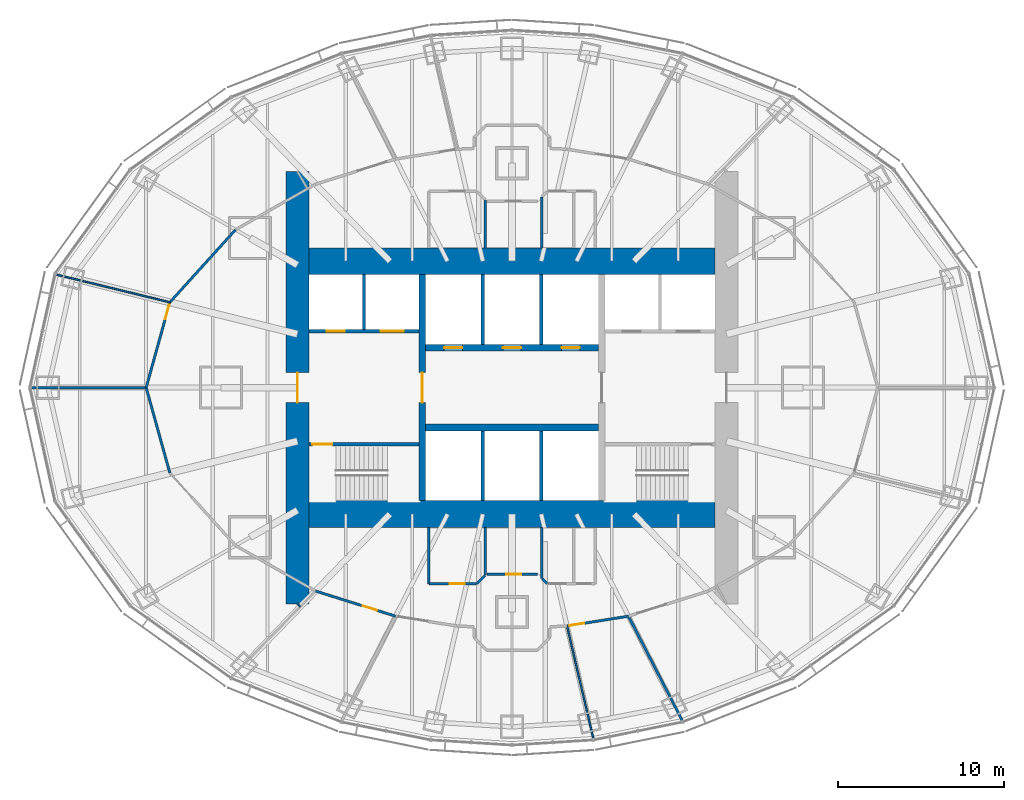
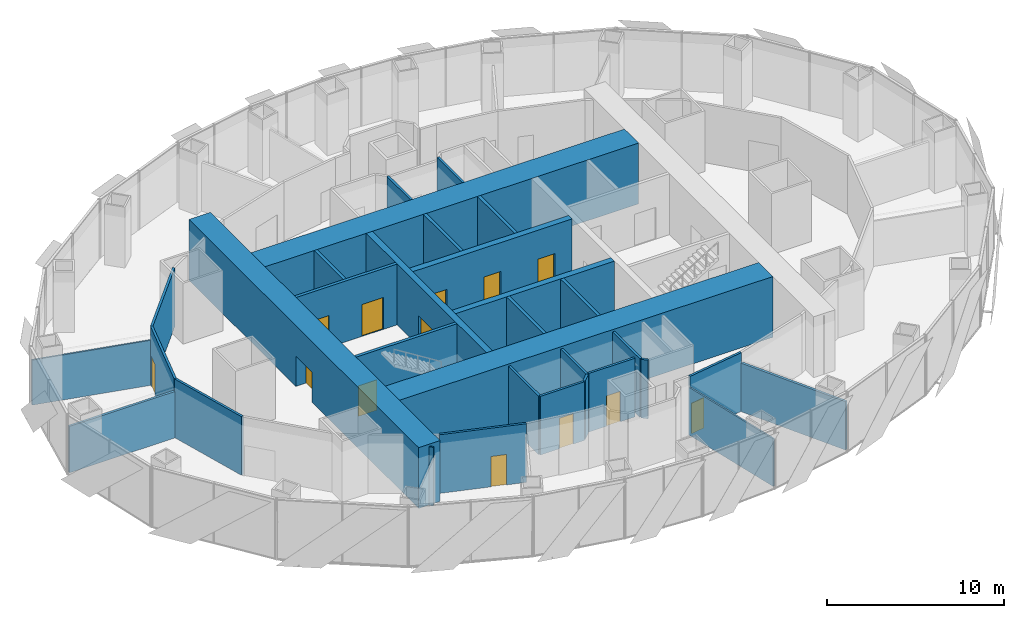
# One storey, part 11 of 18: 32 walls, 13 doors, 13 openings.
"""IFC4 building model written with IfcOpenShell, lengths in metres."""

from ifc_helpers import new_model, si_unit, direction, frame, frame_2d, origin, place, context, subcontext, project, spatial, rectangle, extrude, material, layer, layer_set, type_object, element, fill, save


model = new_model("IFC4")

# Units and contexts
model_context = context("Model", 3, precision=1e-05, world=origin(), true_north=direction((0.0, 1.0)))
body_context = subcontext(model_context, "Body", "Model", "MODEL_VIEW")
ifc_project = project(units=[si_unit("LENGTHUNIT", "METRE"), si_unit("AREAUNIT", "SQUARE_METRE"), si_unit("VOLUMEUNIT", "CUBIC_METRE"), si_unit("PLANEANGLEUNIT", "RADIAN"), si_unit("MASSUNIT", "GRAM", prefix="KILO")], contexts=[model_context])

# Site, building, storey
site_placement = place(None, origin())
site = spatial("IfcSite", under=ifc_project, at=site_placement, CompositionType="ELEMENT")
building_placement = place(site_placement, origin())
building = spatial("IfcBuilding", under=site, at=building_placement, Name="Lantaw Convention Tower", CompositionType="ELEMENT")
storey_placement = place(building_placement, frame((0.0, 0.0, 172.0)))
storey = spatial("IfcBuildingStorey", under=building, at=storey_placement, Name="L40", CompositionType="ELEMENT", Elevation=172.0)

# Wall, opening, door
ifc_material_1 = material(Name="Concrete C60/75", Category="concrete")
ifc_layer_1 = layer(ifc_material_1, 1.39990234375)
ifc_layer_set_1 = layer_set([ifc_layer_1], Name="Core wall 1400")
wall_type_1 = type_object("IfcWallType", Name="Core wall 1400", PredefinedType="SHEAR", material=ifc_layer_set_1)
wall_1_placement = place(storey_placement, frame((-12.89990234375, 13.0, 0.0), z_axis=(0.0, 0.0, 1.0), x_axis=(0.0, -1.0, 0.0)))
wall_1 = element("IfcWall", 1, at=wall_1_placement, inside=storey, type_object=wall_type_1, Name="Core wall W", PredefinedType="SHEAR", context=body_context, shape_type="SweptSolid", body=[
    extrude(rectangle(XDim=26.0, YDim=1.39990234375, at=frame_2d((13.0, 0.0))), origin(), (0.0, 0.0, 1.0), 4.199951171875),
])
opening_1_placement = place(wall_1_placement, frame((12.10009765625, 0.0, 0.0)))
opening_1 = element("IfcOpeningElement", 2, at=opening_1_placement, cuts=wall_1, Name="Opening L40.06", PredefinedType="OPENING", context=body_context, shape_type="SweptSolid", body=[
    extrude(rectangle(XDim=1.800048828125, YDim=2.10009765625, at=frame_2d((0.89990234375, 1.050048828125))), frame((0.0, 0.7099609375, 0.0), z_axis=(0.0, -1.0, 0.0), x_axis=(1.0, 0.0, 0.0)), (0.0, 0.0, 1.0), 1.419921875),
])
ifc_material_2 = material(Name="Steel, fire rated", Category="steel")
door_type_1 = type_object("IfcDoorType", Name="Lobby double door FD90", OperationType="DOUBLE_DOOR_DOUBLE_SWING", PredefinedType="DOOR", material=ifc_material_2)
door_1_placement = place(opening_1_placement, origin())
door_1 = element("IfcDoor", 3, at=door_1_placement, inside=storey, type_object=door_type_1, Name="Firefighting lobby door", OperationType="DOUBLE_DOOR_DOUBLE_SWING", OverallHeight=2.10009765625, OverallWidth=1.800048828125, PredefinedType="DOOR", context=body_context, shape_type="SweptSolid", body=[
    extrude(rectangle(XDim=1.800048828125, YDim=2.10009765625, at=frame_2d((0.89990234375, 1.050048828125))), frame((0.0, 0.02490234375, 0.0), z_axis=(0.0, -1.0, 0.0), x_axis=(1.0, 0.0, 0.0)), (0.0, 0.0, 1.0), 0.050048828125),
])
fill(opening_1, door_1)

# Walls
ifc_layer_2 = layer(ifc_material_1, 1.60009765625)
ifc_layer_set_2 = layer_set([ifc_layer_2], Name="Core wall 1600")
wall_type_2 = type_object("IfcWallType", Name="Core wall 1600", PredefinedType="SHEAR", material=ifc_layer_set_2)
for number, where, z_axis, x_axis, name in (
    (4, (-12.199951171875, -7.60009765625, 0.0), (0.0, 0.0, 1.0), (1.0, 0.0, 0.0), "Core wall S"),
    (5, (12.199951171875, 7.60009765625, 0.0), (0.0, 0.0, 1.0), (-1.0, 0.0, 0.0), "Core wall N"),
):
    element("IfcWall", number, at=place(storey_placement, frame(where, z_axis=z_axis, x_axis=x_axis)), inside=storey, type_object=wall_type_2, Name=name, PredefinedType="SHEAR", context=body_context, shape_type="SweptSolid", body=[
        extrude(rectangle(XDim=24.39990234375, YDim=1.60009765625, at=frame_2d((12.199951171875, 0.0))), origin(), (0.0, 0.0, 1.0), 4.199951171875),
    ])

# Wall, opening, door
ifc_layer_3 = layer(ifc_material_1, 0.199951171875)
ifc_layer_set_3 = layer_set([ifc_layer_3], Name="Core wall 200")
wall_type_3 = type_object("IfcWallType", Name="Core wall 200", PredefinedType="SHEAR", material=ifc_layer_set_3)
wall_2_placement = place(storey_placement, frame((-5.60009765625, -3.39990234375, 0.0), z_axis=(0.0, 0.0, 1.0), x_axis=(-1.0, 0.0, 0.0)))
wall_2 = element("IfcWall", 6, at=wall_2_placement, inside=storey, type_object=wall_type_3, Name="Core wall WS", PredefinedType="SHEAR", context=body_context, shape_type="SweptSolid", body=[
    extrude(rectangle(XDim=6.599853515625, YDim=0.199951171875, at=frame_2d((3.2998046875, 0.0))), origin(), (0.0, 0.0, 1.0), 4.199951171875),
])
opening_2_placement = place(wall_2_placement, frame((5.199951171875, 0.0, 0.0)))
opening_2 = element("IfcOpeningElement", 7, at=opening_2_placement, cuts=wall_2, Name="Opening L40.04", PredefinedType="OPENING", context=body_context, shape_type="SweptSolid", body=[
    extrude(rectangle(XDim=1.199951171875, YDim=2.10009765625, at=frame_2d((0.60009765625, 1.050048828125))), frame((0.0, 0.10986328125, 0.0), z_axis=(0.0, -1.0, 0.0), x_axis=(1.0, 0.0, 0.0)), (0.0, 0.0, 1.0), 0.219970703125),
])
door_type_2 = type_object("IfcDoorType", Name="Stair door FD90", OperationType="SINGLE_SWING_RIGHT", PredefinedType="DOOR", material=ifc_material_2)
door_2_placement = place(opening_2_placement, origin())
door_2 = element("IfcDoor", 8, at=door_2_placement, inside=storey, type_object=door_type_2, Name="Exit stair door", OperationType="SINGLE_SWING_RIGHT", OverallHeight=2.10009765625, OverallWidth=1.199951171875, PredefinedType="DOOR", context=body_context, shape_type="SweptSolid", body=[
    extrude(rectangle(XDim=1.199951171875, YDim=2.10009765625, at=frame_2d((0.60009765625, 1.050048828125))), frame((0.0, 0.02490234375, 0.0), z_axis=(0.0, -1.0, 0.0), x_axis=(1.0, 0.0, 0.0)), (0.0, 0.0, 1.0), 0.050048828125),
])
fill(opening_2, door_2)

ifc_layer_4 = layer(ifc_material_1, 0.39990234375)
ifc_layer_set_4 = layer_set([ifc_layer_4], Name="Core wall 400")
wall_type_4 = type_object("IfcWallType", Name="Core wall 400", PredefinedType="SHEAR", material=ifc_layer_set_4)
wall_3_placement = place(storey_placement, frame((-5.39990234375, 6.800048828125, 0.0), z_axis=(0.0, 0.0, 1.0), x_axis=(0.0, -1.0, 0.0)))
wall_3 = element("IfcWall", 9, at=wall_3_placement, inside=storey, type_object=wall_type_4, Name="Core wall XW", PredefinedType="SHEAR", context=body_context, shape_type="SweptSolid", body=[
    extrude(rectangle(XDim=13.60009765625, YDim=0.39990234375, at=frame_2d((6.800048828125, 0.0))), origin(), (0.0, 0.0, 1.0), 4.199951171875),
])
opening_3_placement = place(wall_3_placement, frame((5.89990234375, 0.0, 0.0)))
opening_3 = element("IfcOpeningElement", 10, at=opening_3_placement, cuts=wall_3, Name="Opening L40.02", PredefinedType="OPENING", context=body_context, shape_type="SweptSolid", body=[
    extrude(rectangle(XDim=1.800048828125, YDim=2.10009765625, at=frame_2d((0.89990234375, 1.050048828125))), frame((0.0, 0.2099609375, 0.0), z_axis=(0.0, -1.0, 0.0), x_axis=(1.0, 0.0, 0.0)), (0.0, 0.0, 1.0), 0.419921875),
])
door_3_placement = place(opening_3_placement, origin())
door_3 = element("IfcDoor", 11, at=door_3_placement, inside=storey, type_object=door_type_1, Name="Lift lobby door", OperationType="DOUBLE_DOOR_DOUBLE_SWING", OverallHeight=2.10009765625, OverallWidth=1.800048828125, PredefinedType="DOOR", context=body_context, shape_type="SweptSolid", body=[
    extrude(rectangle(XDim=1.800048828125, YDim=2.10009765625, at=frame_2d((0.89990234375, 1.050048828125))), frame((0.0, 0.02490234375, 0.0), z_axis=(0.0, -1.0, 0.0), x_axis=(1.0, 0.0, 0.0)), (0.0, 0.0, 1.0), 0.050048828125),
])
fill(opening_3, door_3)

# Wall
wall_4_placement = place(storey_placement, frame((-5.199951171875, -2.39990234375, 0.0), z_axis=(0.0, 0.0, 1.0), x_axis=(1.0, 0.0, 0.0)))
element("IfcWall", 12, at=wall_4_placement, inside=storey, type_object=wall_type_4, Name="Core wall BS", PredefinedType="SHEAR", context=body_context, shape_type="SweptSolid", body=[
    extrude(rectangle(XDim=10.39990234375, YDim=0.39990234375, at=frame_2d((5.199951171875, 0.0))), origin(), (0.0, 0.0, 1.0), 4.199951171875),
])

# Wall, openings, doors
wall_5_placement = place(storey_placement, frame((5.199951171875, 2.39990234375, 0.0), z_axis=(0.0, 0.0, 1.0), x_axis=(-1.0, 0.0, 0.0)))
wall_5 = element("IfcWall", 13, at=wall_5_placement, inside=storey, type_object=wall_type_4, Name="Core wall BN", PredefinedType="SHEAR", context=body_context, shape_type="SweptSolid", body=[
    extrude(rectangle(XDim=10.39990234375, YDim=0.39990234375, at=frame_2d((5.199951171875, 0.0))), origin(), (0.0, 0.0, 1.0), 4.199951171875),
])
opening_4_placement = place(wall_5_placement, frame((8.183349609375, 0.0, 0.0)))
opening_4 = element("IfcOpeningElement", 14, at=opening_4_placement, cuts=wall_5, Name="Opening L40.07", PredefinedType="OPENING", context=body_context, shape_type="SweptSolid", body=[
    extrude(rectangle(XDim=1.10009765625, YDim=2.199951171875, at=frame_2d((0.550048828125, 1.10009765625))), frame((0.0, 0.2099609375, 0.0), z_axis=(0.0, -1.0, 0.0), x_axis=(1.0, 0.0, 0.0)), (0.0, 0.0, 1.0), 0.419921875),
])
opening_5_placement = place(wall_5_placement, frame((4.64990234375, 0.0, 0.0)))
opening_5 = element("IfcOpeningElement", 15, at=opening_5_placement, cuts=wall_5, Name="Opening L40.08", PredefinedType="OPENING", context=body_context, shape_type="SweptSolid", body=[
    extrude(rectangle(XDim=1.10009765625, YDim=2.199951171875, at=frame_2d((0.550048828125, 1.10009765625))), frame((0.0, 0.2099609375, 0.0), z_axis=(0.0, -1.0, 0.0), x_axis=(1.0, 0.0, 0.0)), (0.0, 0.0, 1.0), 0.419921875),
])
opening_6_placement = place(wall_5_placement, frame((1.11669921875, 0.0, 0.0)))
opening_6 = element("IfcOpeningElement", 16, at=opening_6_placement, cuts=wall_5, Name="Opening L40.09", PredefinedType="OPENING", context=body_context, shape_type="SweptSolid", body=[
    extrude(rectangle(XDim=1.10009765625, YDim=2.199951171875, at=frame_2d((0.550048828125, 1.10009765625))), frame((0.0, 0.2099609375, 0.0), z_axis=(0.0, -1.0, 0.0), x_axis=(1.0, 0.0, 0.0)), (0.0, 0.0, 1.0), 0.419921875),
])
ifc_material_3 = material(Name="Stainless steel", Category="steel")
door_type_3 = type_object("IfcDoorType", Name="Lift landing door 1100", OperationType="DOUBLE_DOOR_SLIDING", PredefinedType="DOOR", material=ifc_material_3)
door_4_placement = place(opening_4_placement, origin())
door_4 = element("IfcDoor", 17, at=door_4_placement, inside=storey, type_object=door_type_3, Name="Lift landing door N1", OperationType="DOUBLE_DOOR_SLIDING", OverallHeight=2.199951171875, OverallWidth=1.10009765625, PredefinedType="DOOR", context=body_context, shape_type="SweptSolid", body=[
    extrude(rectangle(XDim=1.10009765625, YDim=2.199951171875, at=frame_2d((0.550048828125, 1.10009765625))), frame((0.0, 0.02490234375, 0.0), z_axis=(0.0, -1.0, 0.0), x_axis=(1.0, 0.0, 0.0)), (0.0, 0.0, 1.0), 0.050048828125),
])
fill(opening_4, door_4)
door_5_placement = place(opening_5_placement, origin())
door_5 = element("IfcDoor", 18, at=door_5_placement, inside=storey, type_object=door_type_3, Name="Lift landing door N2", OperationType="DOUBLE_DOOR_SLIDING", OverallHeight=2.199951171875, OverallWidth=1.10009765625, PredefinedType="DOOR", context=body_context, shape_type="SweptSolid", body=[
    extrude(rectangle(XDim=1.10009765625, YDim=2.199951171875, at=frame_2d((0.550048828125, 1.10009765625))), frame((0.0, 0.02490234375, 0.0), z_axis=(0.0, -1.0, 0.0), x_axis=(1.0, 0.0, 0.0)), (0.0, 0.0, 1.0), 0.050048828125),
])
fill(opening_5, door_5)
door_6_placement = place(opening_6_placement, origin())
door_6 = element("IfcDoor", 19, at=door_6_placement, inside=storey, type_object=door_type_3, Name="Lift landing door N3", OperationType="DOUBLE_DOOR_SLIDING", OverallHeight=2.199951171875, OverallWidth=1.10009765625, PredefinedType="DOOR", context=body_context, shape_type="SweptSolid", body=[
    extrude(rectangle(XDim=1.10009765625, YDim=2.199951171875, at=frame_2d((0.550048828125, 1.10009765625))), frame((0.0, 0.02490234375, 0.0), z_axis=(0.0, -1.0, 0.0), x_axis=(1.0, 0.0, 0.0)), (0.0, 0.0, 1.0), 0.050048828125),
])
fill(opening_6, door_6)

# Wall
ifc_material_4 = material(Name="Gypsum board on steel studs, fire rated", Category="steel")
ifc_layer_5 = layer(ifc_material_4, 0.14990234375)
ifc_layer_set_5 = layer_set([ifc_layer_5], Name="Corridor wall 150 EI 60")
wall_type_5 = type_object("IfcWallType", Name="Corridor wall 150 EI 60", PredefinedType="PARTITIONING", material=ifc_layer_set_5)
wall_6_placement = place(storey_placement, frame((-16.62255859375, 9.49853515625, 0.0), z_axis=(0.0, 0.0, 1.0), x_axis=(-0.671118353743, -0.741350224435, 0.0)))
element("IfcWall", 20, at=wall_6_placement, inside=storey, type_object=wall_type_5, Name="Corridor wall 150", PredefinedType="PARTITIONING", context=body_context, shape_type="SweptSolid", body=[
    extrude(rectangle(XDim=5.89208984375, YDim=0.14990234375, at=frame_2d((2.946044921875, 0.0))), origin(), (0.0, 0.0, 1.0), 4.050048828125),
])

# Wall, opening, door
wall_7_placement = place(storey_placement, frame((-20.576904296875, 5.13037109375, 0.0), z_axis=(0.0, 0.0, 1.0), x_axis=(-0.267293817428, -0.963615076244, 0.0)))
wall_7 = element("IfcWall", 21, at=wall_7_placement, inside=storey, type_object=wall_type_5, Name="Corridor wall 150", PredefinedType="PARTITIONING", context=body_context, shape_type="SweptSolid", body=[
    extrude(rectangle(XDim=5.323974609375, YDim=0.14990234375, at=frame_2d((2.662109375, 0.0))), origin(), (0.0, 0.0, 1.0), 4.050048828125),
])
opening_7_placement = place(wall_7_placement, frame((0.14990234375, 0.0, 0.0)))
opening_7 = element("IfcOpeningElement", 22, at=opening_7_placement, cuts=wall_7, Name="Opening L40.27", PredefinedType="OPENING", context=body_context, shape_type="SweptSolid", body=[
    extrude(rectangle(XDim=0.89990234375, YDim=2.10009765625, at=frame_2d((0.449951171875, 1.050048828125))), frame((0.0, 0.0849609375, 0.0), z_axis=(0.0, -1.0, 0.0), x_axis=(1.0, 0.0, 0.0)), (0.0, 0.0, 1.0), 0.169921875),
])
door_type_4 = type_object("IfcDoorType", Name="Office door 900 FD30", OperationType="SINGLE_SWING_LEFT", PredefinedType="DOOR", material=ifc_material_2)
door_7_placement = place(opening_7_placement, origin())
door_7 = element("IfcDoor", 23, at=door_7_placement, inside=storey, type_object=door_type_4, Name="Meeting room door", OperationType="SINGLE_SWING_LEFT", OverallHeight=2.10009765625, OverallWidth=0.89990234375, PredefinedType="DOOR", context=body_context, shape_type="SweptSolid", body=[
    extrude(rectangle(XDim=0.89990234375, YDim=2.10009765625, at=frame_2d((0.449951171875, 1.050048828125))), frame((0.0, 0.02490234375, 0.0), z_axis=(0.0, -1.0, 0.0), x_axis=(1.0, 0.0, 0.0)), (0.0, 0.0, 1.0), 0.050048828125),
])
fill(opening_7, door_7)

# Wall
wall_8_placement = place(storey_placement, frame((-22.0, 0.0, 0.0), z_axis=(0.0, 0.0, 1.0), x_axis=(0.267293817428, -0.963615076244, 0.0)))
element("IfcWall", 24, at=wall_8_placement, inside=storey, type_object=wall_type_5, Name="Corridor wall 150", PredefinedType="PARTITIONING", context=body_context, shape_type="SweptSolid", body=[
    extrude(rectangle(XDim=5.323974609375, YDim=0.14990234375, at=frame_2d((2.662109375, 0.0))), origin(), (0.0, 0.0, 1.0), 4.050048828125),
])

# Wall, opening, door
wall_9_placement = place(storey_placement, frame((-11.812744140625, -12.232421875, 0.0), z_axis=(0.0, 0.0, 1.0), x_axis=(0.953893934057, -0.300143903101, 0.0)))
wall_9 = element("IfcWall", 25, at=wall_9_placement, inside=storey, type_object=wall_type_5, Name="Corridor wall 150", PredefinedType="PARTITIONING", context=body_context, shape_type="SweptSolid", body=[
    extrude(rectangle(XDim=5.04150390625, YDim=0.14990234375, at=frame_2d((2.520751953125, 0.0))), origin(), (0.0, 0.0, 1.0), 4.050048828125),
])
opening_8_placement = place(wall_9_placement, frame((2.98046875, 0.0, 0.0)))
opening_8 = element("IfcOpeningElement", 26, at=opening_8_placement, cuts=wall_9, Name="Opening L40.29", PredefinedType="OPENING", context=body_context, shape_type="SweptSolid", body=[
    extrude(rectangle(XDim=0.89990234375, YDim=2.10009765625, at=frame_2d((0.449951171875, 1.050048828125))), frame((0.0, 0.0849609375, 0.0), z_axis=(0.0, -1.0, 0.0), x_axis=(1.0, 0.0, 0.0)), (0.0, 0.0, 1.0), 0.169921875),
])
door_8_placement = place(opening_8_placement, origin())
door_8 = element("IfcDoor", 27, at=door_8_placement, inside=storey, type_object=door_type_4, Name="Meeting room door", OperationType="SINGLE_SWING_LEFT", OverallHeight=2.10009765625, OverallWidth=0.89990234375, PredefinedType="DOOR", context=body_context, shape_type="SweptSolid", body=[
    extrude(rectangle(XDim=0.89990234375, YDim=2.10009765625, at=frame_2d((0.449951171875, 1.050048828125))), frame((0.0, 0.02490234375, 0.0), z_axis=(0.0, -1.0, 0.0), x_axis=(1.0, 0.0, 0.0)), (0.0, 0.0, 1.0), 0.050048828125),
])
fill(opening_8, door_8)

wall_10_placement = place(storey_placement, frame((3.3095703125, -14.3349609375, 0.0), z_axis=(0.0, 0.0, 1.0), x_axis=(0.987511396594, 0.157547585181, 0.0)))
wall_10 = element("IfcWall", 28, at=wall_10_placement, inside=storey, type_object=wall_type_5, Name="Corridor wall 150", PredefinedType="PARTITIONING", context=body_context, shape_type="SweptSolid", body=[
    extrude(rectangle(XDim=3.74072265625, YDim=0.14990234375, at=frame_2d((1.870361328125, 0.0))), origin(), (0.0, 0.0, 1.0), 4.050048828125),
])
opening_9_placement = place(wall_10_placement, frame((0.14990234375, 0.0, 0.0)))
opening_9 = element("IfcOpeningElement", 29, at=opening_9_placement, cuts=wall_10, Name="Opening L40.31", PredefinedType="OPENING", context=body_context, shape_type="SweptSolid", body=[
    extrude(rectangle(XDim=0.89990234375, YDim=2.10009765625, at=frame_2d((0.449951171875, 1.050048828125))), frame((0.0, 0.0849609375, 0.0), z_axis=(0.0, -1.0, 0.0), x_axis=(1.0, 0.0, 0.0)), (0.0, 0.0, 1.0), 0.169921875),
])
door_9_placement = place(opening_9_placement, origin())
door_9 = element("IfcDoor", 30, at=door_9_placement, inside=storey, type_object=door_type_4, Name="Meeting room door", OperationType="SINGLE_SWING_LEFT", OverallHeight=2.10009765625, OverallWidth=0.89990234375, PredefinedType="DOOR", context=body_context, shape_type="SweptSolid", body=[
    extrude(rectangle(XDim=0.89990234375, YDim=2.10009765625, at=frame_2d((0.449951171875, 1.050048828125))), frame((0.0, 0.02490234375, 0.0), z_axis=(0.0, -1.0, 0.0), x_axis=(1.0, 0.0, 0.0)), (0.0, 0.0, 1.0), 0.050048828125),
])
fill(opening_9, door_9)

# Walls
ifc_material_5 = material(Name="Gypsum board on steel studs, acoustic", Category="steel")
ifc_layer_6 = layer(ifc_material_5, 0.10009765625)
ifc_layer_set_6 = layer_set([ifc_layer_6], Name="Office partition 100")
wall_type_6 = type_object("IfcWallType", Name="Office partition 100", PredefinedType="PARTITIONING", material=ifc_layer_set_6)
wall_11_placement = place(storey_placement, frame((-27.440673828125, 6.808837890625, 0.0), z_axis=(0.0, 0.0, 1.0), x_axis=(0.971377572955, -0.237540755996, 0.0)))
element("IfcWall", 31, at=wall_11_placement, inside=storey, type_object=wall_type_6, Name="Office partition 100", PredefinedType="PARTITIONING", context=body_context, shape_type="SweptSolid", body=[
    extrude(rectangle(XDim=7.06591796875, YDim=0.10009765625, at=frame_2d((3.532958984375, 0.0))), origin(), (0.0, 0.0, 1.0), 3.11279296875),
])
wall_12_placement = place(storey_placement, frame((4.89697265625, -21.134765625, 0.0), z_axis=(0.0, 0.0, 1.0), x_axis=(-0.22733572198, 0.973816445493, 0.0)))
element("IfcWall", 32, at=wall_12_placement, inside=storey, type_object=wall_type_6, Name="Office partition 100", PredefinedType="PARTITIONING", context=body_context, shape_type="SweptSolid", body=[
    extrude(rectangle(XDim=6.982666015625, YDim=0.10009765625, at=frame_2d((3.4912109375, 0.0))), origin(), (0.0, 0.0, 1.0), 3.29296875),
])
wall_13_placement = place(storey_placement, frame((-12.89990234375, -13.0, 0.0), z_axis=(0.0, 0.0, 1.0), x_axis=(0.714690391061, -0.699440951707, 0.0)))
element("IfcWall", 33, at=wall_13_placement, inside=storey, type_object=wall_type_6, Name="Office partition 100", PredefinedType="PARTITIONING", context=body_context, shape_type="SweptSolid", body=[
    extrude(rectangle(XDim=0.240234375, YDim=0.10009765625, at=frame_2d((0.1201171875, 0.0))), origin(), (0.0, 0.0, 1.0), 4.050048828125),
])
ifc_material_6 = material(Name="Concrete blockwork, fire rated", Category="masonry")
ifc_layer_7 = layer(ifc_material_6, 0.199951171875)
ifc_layer_set_7 = layer_set([ifc_layer_7], Name="Shaft wall 200")
wall_type_7 = type_object("IfcWallType", Name="Shaft wall 200", PredefinedType="SOLIDWALL", material=ifc_layer_set_7)
for number, where, z_axis, x_axis, name in (
    (34, (-1.7666015625, 2.60009765625, 0.0), (0.0, 0.0, 1.0), (0.0, 1.0, 0.0), "Shaft wall DN1"),
    (35, (1.7666015625, 2.60009765625, 0.0), (0.0, 0.0, 1.0), (0.0, 1.0, 0.0), "Shaft wall DN2"),
):
    element("IfcWall", number, at=place(storey_placement, frame(where, z_axis=z_axis, x_axis=x_axis)), inside=storey, type_object=wall_type_7, Name=name, PredefinedType="SOLIDWALL", context=body_context, shape_type="SweptSolid", body=[
        extrude(rectangle(XDim=4.199951171875, YDim=0.199951171875, at=frame_2d((2.10009765625, 0.0))), origin(), (0.0, 0.0, 1.0), 4.199951171875),
    ])

# Wall, openings, doors
wall_14_placement = place(storey_placement, frame((-12.199951171875, 3.39990234375, 0.0), z_axis=(0.0, 0.0, 1.0), x_axis=(1.0, 0.0, 0.0)))
wall_14 = element("IfcWall", 36, at=wall_14_placement, inside=storey, type_object=wall_type_7, Name="Shaft wall WN", PredefinedType="SOLIDWALL", context=body_context, shape_type="SweptSolid", body=[
    extrude(rectangle(XDim=6.599853515625, YDim=0.199951171875, at=frame_2d((3.2998046875, 0.0))), origin(), (0.0, 0.0, 1.0), 4.199951171875),
])
opening_10_placement = place(wall_14_placement, frame((1.050048828125, 0.0, 0.0)))
opening_10 = element("IfcOpeningElement", 37, at=opening_10_placement, cuts=wall_14, Name="Opening L40.10", PredefinedType="OPENING", context=body_context, shape_type="SweptSolid", body=[
    extrude(rectangle(XDim=1.10009765625, YDim=2.199951171875, at=frame_2d((0.550048828125, 1.10009765625))), frame((0.0, 0.10986328125, 0.0), z_axis=(0.0, -1.0, 0.0), x_axis=(1.0, 0.0, 0.0)), (0.0, 0.0, 1.0), 0.219970703125),
])
opening_11_placement = place(wall_14_placement, frame((4.300048828125, 0.0, 0.0)))
opening_11 = element("IfcOpeningElement", 38, at=opening_11_placement, cuts=wall_14, Name="Opening L40.11", PredefinedType="OPENING", context=body_context, shape_type="SweptSolid", body=[
    extrude(rectangle(XDim=1.39990234375, YDim=2.199951171875, at=frame_2d((0.699951171875, 1.10009765625))), frame((0.0, 0.10986328125, 0.0), z_axis=(0.0, -1.0, 0.0), x_axis=(1.0, 0.0, 0.0)), (0.0, 0.0, 1.0), 0.219970703125),
])
door_10_placement = place(opening_10_placement, origin())
door_10 = element("IfcDoor", 39, at=door_10_placement, inside=storey, type_object=door_type_3, Name="Lift landing door FF1", OperationType="DOUBLE_DOOR_SLIDING", OverallHeight=2.199951171875, OverallWidth=1.10009765625, PredefinedType="DOOR", context=body_context, shape_type="SweptSolid", body=[
    extrude(rectangle(XDim=1.10009765625, YDim=2.199951171875, at=frame_2d((0.550048828125, 1.10009765625))), frame((0.0, 0.02490234375, 0.0), z_axis=(0.0, -1.0, 0.0), x_axis=(1.0, 0.0, 0.0)), (0.0, 0.0, 1.0), 0.050048828125),
])
fill(opening_10, door_10)
door_type_5 = type_object("IfcDoorType", Name="Lift landing door 1400", OperationType="DOUBLE_DOOR_SLIDING", PredefinedType="DOOR", material=ifc_material_3)
door_11_placement = place(opening_11_placement, origin())
door_11 = element("IfcDoor", 40, at=door_11_placement, inside=storey, type_object=door_type_5, Name="Lift landing door SV1", OperationType="DOUBLE_DOOR_SLIDING", OverallHeight=2.199951171875, OverallWidth=1.39990234375, PredefinedType="DOOR", context=body_context, shape_type="SweptSolid", body=[
    extrude(rectangle(XDim=1.39990234375, YDim=2.199951171875, at=frame_2d((0.699951171875, 1.10009765625))), frame((0.0, 0.02490234375, 0.0), z_axis=(0.0, -1.0, 0.0), x_axis=(1.0, 0.0, 0.0)), (0.0, 0.0, 1.0), 0.050048828125),
])
fill(opening_11, door_11)

# Walls
wall_15_placement = place(storey_placement, frame((-8.89990234375, 3.5, 0.0), z_axis=(0.0, 0.0, 1.0), x_axis=(0.0, 1.0, 0.0)))
element("IfcWall", 41, at=wall_15_placement, inside=storey, type_object=wall_type_7, Name="Shaft wall WD", PredefinedType="SOLIDWALL", context=body_context, shape_type="SweptSolid", body=[
    extrude(rectangle(XDim=3.300048828125, YDim=0.199951171875, at=frame_2d((1.64990234375, 0.0))), origin(), (0.0, 0.0, 1.0), 4.199951171875),
])
ifc_layer_8 = layer(ifc_material_6, 0.199951171875)
ifc_layer_set_8 = layer_set([ifc_layer_8], Name="Shaft wall 200 load-bearing")
wall_type_8 = type_object("IfcWallType", Name="Shaft wall 200 load-bearing", PredefinedType="SOLIDWALL", material=ifc_layer_set_8)
for number, where, z_axis, x_axis, name in (
    (42, (-1.7666015625, -2.60009765625, 0.0), (0.0, 0.0, 1.0), (0.0, -1.0, 0.0), "Shaft wall DS1"),
    (43, (1.7666015625, -2.60009765625, 0.0), (0.0, 0.0, 1.0), (0.0, -1.0, 0.0), "Shaft wall DS2"),
):
    element("IfcWall", number, at=place(storey_placement, frame(where, z_axis=z_axis, x_axis=x_axis)), inside=storey, type_object=wall_type_8, Name=name, PredefinedType="SOLIDWALL", context=body_context, shape_type="SweptSolid", body=[
        extrude(rectangle(XDim=4.199951171875, YDim=0.199951171875, at=frame_2d((2.10009765625, 0.0))), origin(), (0.0, 0.0, 1.0), 4.199951171875),
    ])
ifc_layer_9 = layer(ifc_material_4, 0.14990234375)
ifc_layer_set_9 = layer_set([ifc_layer_9], Name="Tenant separation wall 150 EI 60")
wall_type_9 = type_object("IfcWallType", Name="Tenant separation wall 150 EI 60", PredefinedType="PARTITIONING", material=ifc_layer_set_9)
wall_16_placement = place(storey_placement, frame((-28.944091796875, 0.0, 0.0), z_axis=(0.0, 0.0, 1.0), x_axis=(1.0, 0.0, 0.0)))
element("IfcWall", 44, at=wall_16_placement, inside=storey, type_object=wall_type_9, Name="Tenant separation wall 150", PredefinedType="PARTITIONING", context=body_context, shape_type="SweptSolid", body=[
    extrude(rectangle(XDim=6.944091796875, YDim=0.14990234375, at=frame_2d((3.47216796875, 0.0))), origin(), (0.0, 0.0, 1.0), 3.2041015625),
])
wall_17_placement = place(storey_placement, frame((10.25341796875, -20.0517578125, 0.0), z_axis=(0.0, 0.0, 1.0), x_axis=(-0.458082677592, 0.888909590729, 0.0)))
element("IfcWall", 45, at=wall_17_placement, inside=storey, type_object=wall_type_9, Name="Tenant separation wall 150", PredefinedType="PARTITIONING", context=body_context, shape_type="SweptSolid", body=[
    extrude(rectangle(XDim=7.09423828125, YDim=0.14990234375, at=frame_2d((3.547119140625, 0.0))), origin(), (0.0, 0.0, 1.0), 3.348876953125),
])
ifc_material_7 = material(Name="Concrete blockwork", Category="masonry")
ifc_layer_10 = layer(ifc_material_7, 0.14990234375)
ifc_layer_set_10 = layer_set([ifc_layer_10], Name="WC wall 150")
wall_type_10 = type_object("IfcWallType", Name="WC wall 150", PredefinedType="SOLIDWALL", material=ifc_layer_set_10)
wall_18_placement = place(storey_placement, frame((-5.0, -8.39990234375, 0.0), z_axis=(0.0, 0.0, 1.0), x_axis=(0.0, -1.0, 0.0)))
element("IfcWall", 46, at=wall_18_placement, inside=storey, type_object=wall_type_10, Name="WC wall 150", PredefinedType="SOLIDWALL", context=body_context, shape_type="SweptSolid", body=[
    extrude(rectangle(XDim=3.400146484375, YDim=0.14990234375, at=frame_2d((1.7001953125, 0.0))), origin(), (0.0, 0.0, 1.0), 4.050048828125),
])

# Wall, opening, door
wall_19_placement = place(storey_placement, frame((-5.0, -11.800048828125, 0.0), z_axis=(0.0, 0.0, 1.0), x_axis=(1.0, 0.0, 0.0)))
wall_19 = element("IfcWall", 47, at=wall_19_placement, inside=storey, type_object=wall_type_10, Name="WC wall 150", PredefinedType="SOLIDWALL", context=body_context, shape_type="SweptSolid", body=[
    extrude(rectangle(XDim=2.86865234375, YDim=0.14990234375, at=frame_2d((1.434326171875, 0.0))), origin(), (0.0, 0.0, 1.0), 4.050048828125),
])
opening_12_placement = place(wall_19_placement, frame((1.25, 0.0, 0.0)))
opening_12 = element("IfcOpeningElement", 48, at=opening_12_placement, cuts=wall_19, Name="Opening L40.18", PredefinedType="OPENING", context=body_context, shape_type="SweptSolid", body=[
    extrude(rectangle(XDim=0.89990234375, YDim=2.10009765625, at=frame_2d((0.449951171875, 1.050048828125))), frame((0.0, 0.0849609375, 0.0), z_axis=(0.0, -1.0, 0.0), x_axis=(1.0, 0.0, 0.0)), (0.0, 0.0, 1.0), 0.169921875),
])
ifc_material_8 = material(Name="Timber", Category="wood")
door_type_6 = type_object("IfcDoorType", Name="WC door 900", OperationType="SINGLE_SWING_LEFT", PredefinedType="DOOR", material=ifc_material_8)
door_12_placement = place(opening_12_placement, origin())
door_12 = element("IfcDoor", 49, at=door_12_placement, inside=storey, type_object=door_type_6, Name="Female WC door", OperationType="SINGLE_SWING_LEFT", OverallHeight=2.10009765625, OverallWidth=0.89990234375, PredefinedType="DOOR", context=body_context, shape_type="SweptSolid", body=[
    extrude(rectangle(XDim=0.89990234375, YDim=2.10009765625, at=frame_2d((0.449951171875, 1.050048828125))), frame((0.0, 0.02490234375, 0.0), z_axis=(0.0, -1.0, 0.0), x_axis=(1.0, 0.0, 0.0)), (0.0, 0.0, 1.0), 0.050048828125),
])
fill(opening_12, door_12)

# Walls
wall_20_placement = place(storey_placement, frame((-1.60009765625, -8.39990234375, 0.0), z_axis=(0.0, 0.0, 1.0), x_axis=(0.0, -1.0, 0.0)))
element("IfcWall", 50, at=wall_20_placement, inside=storey, type_object=wall_type_10, Name="WC wall 150", PredefinedType="SOLIDWALL", context=body_context, shape_type="SweptSolid", body=[
    extrude(rectangle(XDim=2.86865234375, YDim=0.14990234375, at=frame_2d((1.434326171875, 0.0))), origin(), (0.0, 0.0, 1.0), 4.050048828125),
])
wall_21_placement = place(storey_placement, frame((1.800048828125, -8.39990234375, 0.0), z_axis=(0.0, 0.0, 1.0), x_axis=(0.0, -1.0, 0.0)))
element("IfcWall", 51, at=wall_21_placement, inside=storey, type_object=wall_type_10, Name="WC wall 150", PredefinedType="SOLIDWALL", context=body_context, shape_type="SweptSolid", body=[
    extrude(rectangle(XDim=3.068603515625, YDim=0.14990234375, at=frame_2d((1.5341796875, 0.0))), origin(), (0.0, 0.0, 1.0), 4.050048828125),
])
wall_22_placement = place(storey_placement, frame((-2.101318359375, -11.7841796875, 0.0), z_axis=(0.0, 0.0, 1.0), x_axis=(0.706928959799, 0.707284557867, 0.0)))
element("IfcWall", 52, at=wall_22_placement, inside=storey, type_object=wall_type_10, Name="WC wall 150", PredefinedType="SOLIDWALL", context=body_context, shape_type="SweptSolid", body=[
    extrude(rectangle(XDim=0.6865234375, YDim=0.14990234375, at=frame_2d((0.34326171875, 0.0))), origin(), (0.0, 0.0, 1.0), 4.050048828125),
])

# Wall, opening, door
wall_23_placement = place(storey_placement, frame((-1.4951171875, -11.215087890625, 0.0), z_axis=(0.0, 0.0, 1.0), x_axis=(1.0, 0.0, 0.0)))
wall_23 = element("IfcWall", 53, at=wall_23_placement, inside=storey, type_object=wall_type_10, Name="WC wall 150", PredefinedType="SOLIDWALL", context=body_context, shape_type="SweptSolid", body=[
    extrude(rectangle(XDim=3.02734375, YDim=0.14990234375, at=frame_2d((1.513671875, 0.0))), origin(), (0.0, 0.0, 1.0), 4.050048828125),
])
opening_13_placement = place(wall_23_placement, frame((1.14990234375, 0.0, 0.0)))
opening_13 = element("IfcOpeningElement", 54, at=opening_13_placement, cuts=wall_23, Name="Opening L40.19", PredefinedType="OPENING", context=body_context, shape_type="SweptSolid", body=[
    extrude(rectangle(XDim=0.89990234375, YDim=2.10009765625, at=frame_2d((0.449951171875, 1.050048828125))), frame((0.0, 0.0849609375, 0.0), z_axis=(0.0, -1.0, 0.0), x_axis=(1.0, 0.0, 0.0)), (0.0, 0.0, 1.0), 0.169921875),
])
door_13_placement = place(opening_13_placement, origin())
door_13 = element("IfcDoor", 55, at=door_13_placement, inside=storey, type_object=door_type_6, Name="Male WC door", OperationType="SINGLE_SWING_LEFT", OverallHeight=2.10009765625, OverallWidth=0.89990234375, PredefinedType="DOOR", context=body_context, shape_type="SweptSolid", body=[
    extrude(rectangle(XDim=0.89990234375, YDim=2.10009765625, at=frame_2d((0.449951171875, 1.050048828125))), frame((0.0, 0.02490234375, 0.0), z_axis=(0.0, -1.0, 0.0), x_axis=(1.0, 0.0, 0.0)), (0.0, 0.0, 1.0), 0.050048828125),
])
fill(opening_13, door_13)

# Walls
wall_24_placement = place(storey_placement, frame((1.81591796875, -11.49853515625, 0.0), z_axis=(0.0, 0.0, 1.0), x_axis=(0.706804405012, -0.707409028113, 0.0)))
element("IfcWall", 56, at=wall_24_placement, inside=storey, type_object=wall_type_10, Name="WC wall 150", PredefinedType="SOLIDWALL", context=body_context, shape_type="SweptSolid", body=[
    extrude(rectangle(XDim=0.40380859375, YDim=0.14990234375, at=frame_2d((0.201904296875, 0.0))), origin(), (0.0, 0.0, 1.0), 4.050048828125),
])
wall_25_placement = place(storey_placement, frame((-1.60009765625, 8.39990234375, 0.0), z_axis=(0.0, 0.0, 1.0), x_axis=(0.0, 1.0, 0.0)))
element("IfcWall", 57, at=wall_25_placement, inside=storey, type_object=wall_type_10, Name="WC wall 150", PredefinedType="SOLIDWALL", context=body_context, shape_type="SweptSolid", body=[
    extrude(rectangle(XDim=2.86865234375, YDim=0.14990234375, at=frame_2d((1.434326171875, 0.0))), origin(), (0.0, 0.0, 1.0), 4.050048828125),
])
wall_26_placement = place(storey_placement, frame((1.800048828125, 8.39990234375, 0.0), z_axis=(0.0, 0.0, 1.0), x_axis=(0.0, 1.0, 0.0)))
element("IfcWall", 58, at=wall_26_placement, inside=storey, type_object=wall_type_10, Name="WC wall 150", PredefinedType="SOLIDWALL", context=body_context, shape_type="SweptSolid", body=[
    extrude(rectangle(XDim=3.068603515625, YDim=0.14990234375, at=frame_2d((1.5341796875, 0.0))), origin(), (0.0, 0.0, 1.0), 4.050048828125),
])

save(model, "model.ifc")
